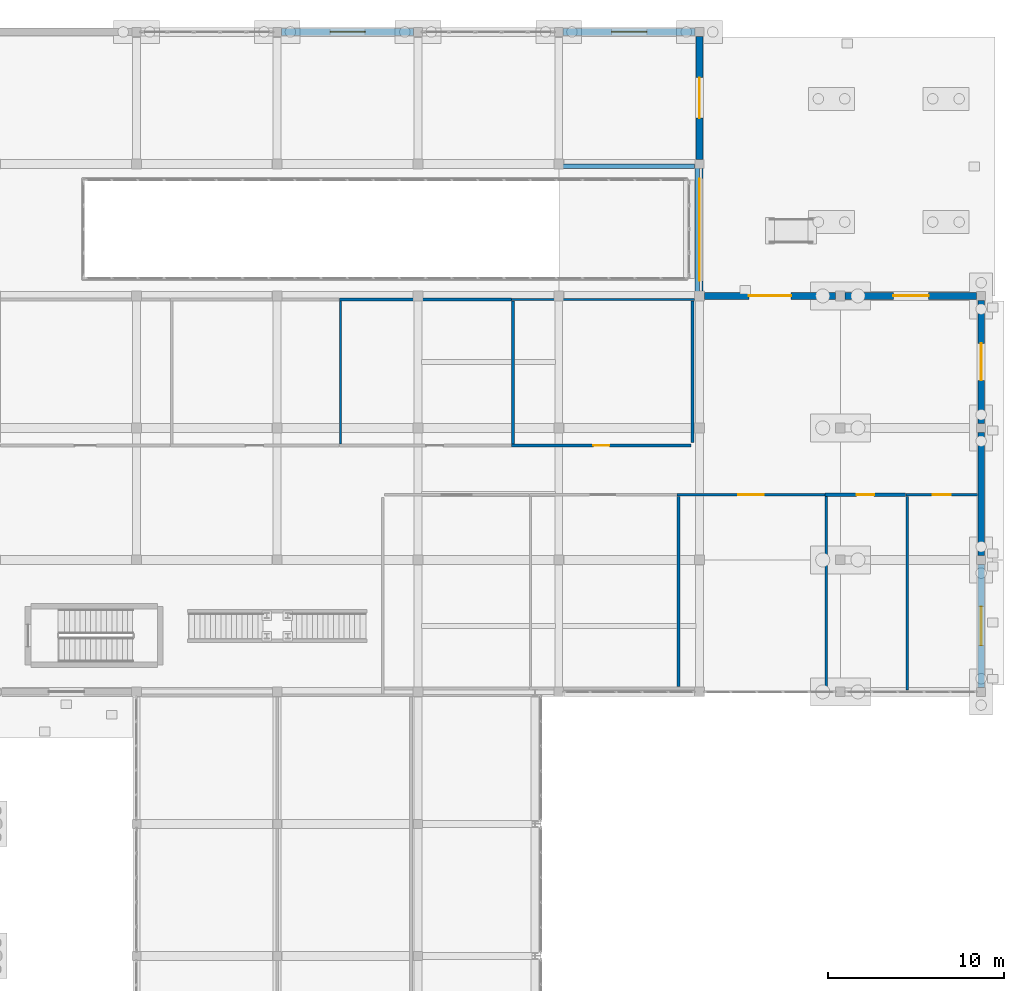
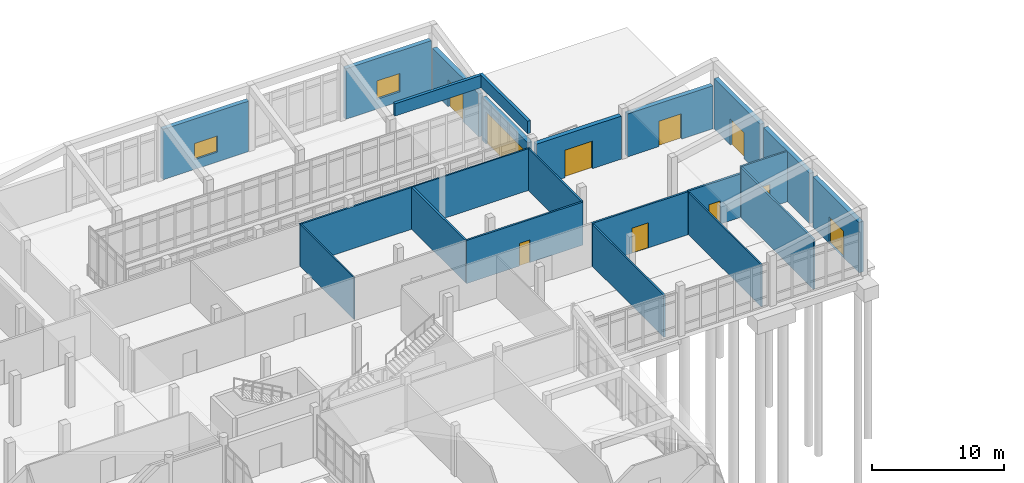
# One storey, part 160 of 173: 23 walls, 10 doors, 2 windows, 12 openings.
"""IFC4 building model written with IfcOpenShell, lengths in metres."""

from ifc_helpers import new_model, si_unit, direction, frame, frame_2d, origin, place, context, subcontext, project, spatial, rectangle, extrude, material, layer, layer_set, type_object, element, fill, save


model = new_model("IFC4")

# Units and contexts
model_context = context("Model", 3, precision=1e-05, world=origin(), true_north=direction((0.0, 1.0)))
body_context = subcontext(model_context, "Body", "Model", "MODEL_VIEW")
ifc_project = project(units=[si_unit("LENGTHUNIT", "METRE"), si_unit("AREAUNIT", "SQUARE_METRE"), si_unit("VOLUMEUNIT", "CUBIC_METRE"), si_unit("PLANEANGLEUNIT", "RADIAN"), si_unit("MASSUNIT", "GRAM", prefix="KILO")], contexts=[model_context])

# Site, building, storey
site_placement = place(None, origin())
site = spatial("IfcSite", under=ifc_project, at=site_placement, CompositionType="ELEMENT")
building_placement = place(site_placement, origin())
building = spatial("IfcBuilding", under=site, at=building_placement, Name="Mawjan Specialist Oncology Clinic", CompositionType="ELEMENT")
storey_placement = place(building_placement, origin())
storey = spatial("IfcBuildingStorey", under=building, at=storey_placement, Name="L00", CompositionType="ELEMENT", Elevation=0.0)

# Wall, opening, window
ifc_material_1 = material(Name="Precast concrete C40/50", Category="concrete")
ifc_layer_1 = layer(ifc_material_1, 0.3798828125, Name="Precast concrete C40/50", Category="concrete")
ifc_layer_set_1 = layer_set([ifc_layer_1], Name="Precast concrete C40/50")
wall_type_1 = type_object("IfcWallType", Name="EW-380", PredefinedType="SOLIDWALL", material=ifc_layer_set_1)
wall_1_placement = place(storey_placement, frame((124.25, 113.300048828125, 0.0), z_axis=(0.0, 0.0, 1.0), x_axis=(1.0, 0.0, 0.0)))
wall_1 = element("IfcWall", 1, at=wall_1_placement, inside=storey, type_object=wall_type_1, Name="L00 Coral-Limestone Exterior Wall EW-L00-025", PredefinedType="SOLIDWALL", context=body_context, shape_type="SweptSolid", body=[
    extrude(rectangle(XDim=7.5, YDim=0.3798828125, at=frame_2d((3.75, 0.0))), origin(), (0.0, 0.0, 1.0), 4.669921875),
])
opening_1_placement = place(wall_1_placement, frame((2.75, 0.0, 0.89990234375)))
opening_1 = element("IfcOpeningElement", 2, at=opening_1_placement, cuts=wall_1, Name="Opening WN-26", PredefinedType="OPENING", context=body_context, shape_type="SweptSolid", body=[
    extrude(rectangle(XDim=2.0, YDim=1.5, at=frame_2d((1.0, 0.75))), frame((0.0, 0.201904296875, 0.0), z_axis=(0.0, -1.0, 0.0), x_axis=(1.0, 0.0, 0.0)), (0.0, 0.0, 1.0), 0.40380859375),
])
ifc_material_2 = material(Name="Thermally broken low-E clinical aluminium window", Category="aluminium")
window_type_1 = type_object("IfcWindowType", Name="WN-26", PartitioningType="DOUBLE_PANEL_VERTICAL", PredefinedType="WINDOW", material=ifc_material_2)
window_1_placement = place(opening_1_placement, origin())
window_1 = element("IfcWindow", 3, at=window_1_placement, inside=storey, type_object=window_type_1, Name="L00 Clinical Low-E Window 006", OverallHeight=1.5, OverallWidth=2.0, PartitioningType="DOUBLE_PANEL_VERTICAL", PredefinedType="WINDOW", context=body_context, shape_type="SweptSolid", body=[
    extrude(rectangle(XDim=2.0, YDim=1.5, at=frame_2d((1.0, 0.75))), frame((0.0, 0.030029296875, 0.0), z_axis=(0.0, -1.0, 0.0), x_axis=(1.0, 0.0, 0.0)), (0.0, 0.0, 1.0), 0.06005859375),
])
fill(opening_1, window_1)

wall_2_placement = place(storey_placement, frame((140.25, 113.300048828125, 0.0), z_axis=(0.0, 0.0, 1.0), x_axis=(1.0, 0.0, 0.0)))
wall_2 = element("IfcWall", 4, at=wall_2_placement, inside=storey, type_object=wall_type_1, Name="L00 Coral-Limestone Exterior Wall EW-L00-026", PredefinedType="SOLIDWALL", context=body_context, shape_type="SweptSolid", body=[
    extrude(rectangle(XDim=7.5, YDim=0.3798828125, at=frame_2d((3.75, 0.0))), origin(), (0.0, 0.0, 1.0), 4.669921875),
])
opening_2_placement = place(wall_2_placement, frame((2.75, 0.0, 0.89990234375)))
opening_2 = element("IfcOpeningElement", 5, at=opening_2_placement, cuts=wall_2, Name="Opening WN-27", PredefinedType="OPENING", context=body_context, shape_type="SweptSolid", body=[
    extrude(rectangle(XDim=2.0, YDim=1.699951171875, at=frame_2d((1.0, 0.85009765625))), frame((0.0, 0.201904296875, 0.0), z_axis=(0.0, -1.0, 0.0), x_axis=(1.0, 0.0, 0.0)), (0.0, 0.0, 1.0), 0.40380859375),
])
ifc_material_3 = material(Name="Thermally broken low-E clinical aluminium window", Category="aluminium")
window_type_2 = type_object("IfcWindowType", Name="WN-27", PartitioningType="DOUBLE_PANEL_VERTICAL", PredefinedType="WINDOW", material=ifc_material_3)
window_2_placement = place(opening_2_placement, origin())
window_2 = element("IfcWindow", 6, at=window_2_placement, inside=storey, type_object=window_type_2, Name="L00 Clinical Low-E Window 007", OverallHeight=1.699951171875, OverallWidth=2.0, PartitioningType="DOUBLE_PANEL_VERTICAL", PredefinedType="WINDOW", context=body_context, shape_type="SweptSolid", body=[
    extrude(rectangle(XDim=2.0, YDim=1.699951171875, at=frame_2d((1.0, 0.85009765625))), frame((0.0, 0.030029296875, 0.0), z_axis=(0.0, -1.0, 0.0), x_axis=(1.0, 0.0, 0.0)), (0.0, 0.0, 1.0), 0.06005859375),
])
fill(opening_2, window_2)

# Wall, opening, door
wall_3_placement = place(storey_placement, frame((148.0, 113.050048828125, 0.0), z_axis=(0.0, 0.0, 1.0), x_axis=(0.0, -1.0, 0.0)))
wall_3 = element("IfcWall", 7, at=wall_3_placement, inside=storey, type_object=wall_type_1, Name="L00 Coral-Limestone Exterior Wall EW-L00-027", PredefinedType="SOLIDWALL", context=body_context, shape_type="SweptSolid", body=[
    extrude(rectangle(XDim=7.0, YDim=0.3798828125, at=frame_2d((3.5, 0.0))), origin(), (0.0, 0.0, 1.0), 3.985107421875),
])
opening_3_placement = place(wall_3_placement, frame((2.35009765625, 0.0, 0.0)))
opening_3 = element("IfcOpeningElement", 8, at=opening_3_placement, cuts=wall_3, Name="Opening DE-230", PredefinedType="OPENING", context=body_context, shape_type="SweptSolid", body=[
    extrude(rectangle(XDim=2.300048828125, YDim=2.5, at=frame_2d((1.14990234375, 1.25))), frame((0.0, 0.201904296875, 0.0), z_axis=(0.0, -1.0, 0.0), x_axis=(1.0, 0.0, 0.0)), (0.0, 0.0, 1.0), 0.40380859375),
])
ifc_material_4 = material(Name="Insulated marine-grade aluminium entrance assembly", Category="aluminium")
door_type_1 = type_object("IfcDoorType", Name="DE-230", OperationType="DOUBLE_DOOR_SINGLE_SWING", PredefinedType="DOOR", material=ifc_material_4)
door_1_placement = place(opening_3_placement, origin())
door_1 = element("IfcDoor", 9, at=door_1_placement, inside=storey, type_object=door_type_1, Name="Main Pedestrian Final Exit Door E-04", OperationType="DOUBLE_DOOR_SINGLE_SWING", OverallHeight=2.5, OverallWidth=2.300048828125, PredefinedType="DOOR", context=body_context, shape_type="SweptSolid", body=[
    extrude(rectangle(XDim=2.300048828125, YDim=2.5, at=frame_2d((1.14990234375, 1.25))), frame((0.0, 0.02490234375, 0.0), z_axis=(0.0, -1.0, 0.0), x_axis=(1.0, 0.0, 0.0)), (0.0, 0.0, 1.0), 0.050048828125),
])
fill(opening_3, door_1)

wall_4_placement = place(storey_placement, frame((148.0, 105.550048828125, 0.0), z_axis=(0.0, 0.0, 1.0), x_axis=(0.0, -1.0, 0.0)))
wall_4 = element("IfcWall", 10, at=wall_4_placement, inside=storey, type_object=wall_type_1, Name="L00 Coral-Limestone Exterior Wall EW-L00-028", PredefinedType="SOLIDWALL", context=body_context, shape_type="SweptSolid", body=[
    extrude(rectangle(XDim=6.97509765625, YDim=0.3798828125, at=frame_2d((3.487548828125, 0.0))), origin(), (0.0, 0.0, 1.0), 3.985107421875),
])
opening_4_placement = place(wall_4_placement, frame((0.58740234375, 0.0, 0.0)))
opening_4 = element("IfcOpeningElement", 11, at=opening_4_placement, cuts=wall_4, Name="Opening VG-600", PredefinedType="OPENING", context=body_context, shape_type="SweptSolid", body=[
    extrude(rectangle(XDim=5.800048828125, YDim=3.0, at=frame_2d((2.89990234375, 1.5))), frame((0.0, 0.201904296875, 0.0), z_axis=(0.0, -1.0, 0.0), x_axis=(1.0, 0.0, 0.0)), (0.0, 0.0, 1.0), 0.40380859375),
])
ifc_material_5 = material(Name="Insulated powder-coated steel roller gate", Category="steel")
door_type_2 = type_object("IfcDoorType", Name="VG-600", OperationType="ROLLINGUP", PredefinedType="GATE", material=ifc_material_5)
door_2_placement = place(opening_4_placement, origin())
door_2 = element("IfcDoor", 12, at=door_2_placement, inside=storey, type_object=door_type_2, Name="Car Park Ramp Roller Shutter Gate VG1", OperationType="ROLLINGUP", OverallHeight=3.0, OverallWidth=5.800048828125, PredefinedType="GATE", context=body_context, shape_type="SweptSolid", body=[
    extrude(rectangle(XDim=5.800048828125, YDim=3.0, at=frame_2d((2.89990234375, 1.5))), frame((0.0, 0.02490234375, 0.0), z_axis=(0.0, -1.0, 0.0), x_axis=(1.0, 0.0, 0.0)), (0.0, 0.0, 1.0), 0.050048828125),
])
fill(opening_4, door_2)

wall_5_placement = place(storey_placement, frame((148.27490234375, 98.300048828125, 0.0), z_axis=(0.0, 0.0, 1.0), x_axis=(1.0, 0.0, 0.0)))
wall_5 = element("IfcWall", 13, at=wall_5_placement, inside=storey, type_object=wall_type_1, Name="L00 Coral-Limestone Exterior Wall EW-L00-029", PredefinedType="SOLIDWALL", context=body_context, shape_type="SweptSolid", body=[
    extrude(rectangle(XDim=7.4501953125, YDim=0.3798828125, at=frame_2d((3.72509765625, 0.0))), origin(), (0.0, 0.0, 1.0), 3.985107421875),
])
opening_5_placement = place(wall_5_placement, frame((2.52490234375, 0.0, 0.0)))
opening_5 = element("IfcOpeningElement", 14, at=opening_5_placement, cuts=wall_5, Name="Opening DE-240", PredefinedType="OPENING", context=body_context, shape_type="SweptSolid", body=[
    extrude(rectangle(XDim=2.39990234375, YDim=2.550048828125, at=frame_2d((1.199951171875, 1.27490234375))), frame((0.0, 0.201904296875, 0.0), z_axis=(0.0, -1.0, 0.0), x_axis=(1.0, 0.0, 0.0)), (0.0, 0.0, 1.0), 0.40380859375),
])
ifc_material_6 = material(Name="Insulated marine-grade aluminium entrance assembly", Category="aluminium")
door_type_3 = type_object("IfcDoorType", Name="DE-240", OperationType="DOUBLE_DOOR_SINGLE_SWING", PredefinedType="DOOR", material=ifc_material_6)
door_3_placement = place(opening_5_placement, origin())
door_3 = element("IfcDoor", 15, at=door_3_placement, inside=storey, type_object=door_type_3, Name="Main Pedestrian Final Exit Door E-05", OperationType="DOUBLE_DOOR_SINGLE_SWING", OverallHeight=2.550048828125, OverallWidth=2.39990234375, PredefinedType="DOOR", context=body_context, shape_type="SweptSolid", body=[
    extrude(rectangle(XDim=2.39990234375, YDim=2.550048828125, at=frame_2d((1.199951171875, 1.27490234375))), frame((0.0, 0.02490234375, 0.0), z_axis=(0.0, -1.0, 0.0), x_axis=(1.0, 0.0, 0.0)), (0.0, 0.0, 1.0), 0.050048828125),
])
fill(opening_5, door_3)

wall_6_placement = place(storey_placement, frame((156.27490234375, 98.300048828125, 0.0), z_axis=(0.0, 0.0, 1.0), x_axis=(1.0, 0.0, 0.0)))
wall_6 = element("IfcWall", 16, at=wall_6_placement, inside=storey, type_object=wall_type_1, Name="L00 Coral-Limestone Exterior Wall EW-L00-030", PredefinedType="SOLIDWALL", context=body_context, shape_type="SweptSolid", body=[
    extrude(rectangle(XDim=7.47509765625, YDim=0.3798828125, at=frame_2d((3.737548828125, 0.0))), origin(), (0.0, 0.0, 1.0), 3.985107421875),
])
opening_6_placement = place(wall_6_placement, frame((2.737548828125, 0.0, 0.0)))
opening_6 = element("IfcOpeningElement", 17, at=opening_6_placement, cuts=wall_6, Name="Opening DE-200", PredefinedType="OPENING", context=body_context, shape_type="SweptSolid", body=[
    extrude(rectangle(XDim=2.0, YDim=2.35009765625, at=frame_2d((1.0, 1.175048828125))), frame((0.0, 0.201904296875, 0.0), z_axis=(0.0, -1.0, 0.0), x_axis=(1.0, 0.0, 0.0)), (0.0, 0.0, 1.0), 0.40380859375),
])
ifc_material_7 = material(Name="Insulated marine-grade aluminium entrance assembly", Category="aluminium")
door_type_4 = type_object("IfcDoorType", Name="DE-200", OperationType="DOUBLE_DOOR_SINGLE_SWING", PredefinedType="DOOR", material=ifc_material_7)
door_4_placement = place(opening_6_placement, origin())
door_4 = element("IfcDoor", 18, at=door_4_placement, inside=storey, type_object=door_type_4, Name="Main Pedestrian Final Exit Door E-06", OperationType="DOUBLE_DOOR_SINGLE_SWING", OverallHeight=2.35009765625, OverallWidth=2.0, PredefinedType="DOOR", context=body_context, shape_type="SweptSolid", body=[
    extrude(rectangle(XDim=2.0, YDim=2.35009765625, at=frame_2d((1.0, 1.175048828125))), frame((0.0, 0.02490234375, 0.0), z_axis=(0.0, -1.0, 0.0), x_axis=(1.0, 0.0, 0.0)), (0.0, 0.0, 1.0), 0.050048828125),
])
fill(opening_6, door_4)

wall_7_placement = place(storey_placement, frame((164.0, 98.050048828125, 0.0), z_axis=(0.0, 0.0, 1.0), x_axis=(0.0, -1.0, 0.0)))
wall_7 = element("IfcWall", 19, at=wall_7_placement, inside=storey, type_object=wall_type_1, Name="L00 Coral-Limestone Exterior Wall EW-L00-031", PredefinedType="SOLIDWALL", context=body_context, shape_type="SweptSolid", body=[
    extrude(rectangle(XDim=7.0, YDim=0.3798828125, at=frame_2d((3.5, 0.0))), origin(), (0.0, 0.0, 1.0), 4.669921875),
])
opening_7_placement = place(wall_7_placement, frame((2.449951171875, 0.0, 0.0)))
opening_7 = element("IfcOpeningElement", 20, at=opening_7_placement, cuts=wall_7, Name="Opening DE-210", PredefinedType="OPENING", context=body_context, shape_type="SweptSolid", body=[
    extrude(rectangle(XDim=2.10009765625, YDim=2.39990234375, at=frame_2d((1.050048828125, 1.199951171875))), frame((0.0, 0.201904296875, 0.0), z_axis=(0.0, -1.0, 0.0), x_axis=(1.0, 0.0, 0.0)), (0.0, 0.0, 1.0), 0.40380859375),
])
ifc_material_8 = material(Name="Insulated marine-grade aluminium entrance assembly", Category="aluminium")
door_type_5 = type_object("IfcDoorType", Name="DE-210", OperationType="DOUBLE_DOOR_SINGLE_SWING", PredefinedType="DOOR", material=ifc_material_8)
door_5_placement = place(opening_7_placement, origin())
door_5 = element("IfcDoor", 21, at=door_5_placement, inside=storey, type_object=door_type_5, Name="Main Pedestrian Final Exit Door E-07", OperationType="DOUBLE_DOOR_SINGLE_SWING", OverallHeight=2.39990234375, OverallWidth=2.10009765625, PredefinedType="DOOR", context=body_context, shape_type="SweptSolid", body=[
    extrude(rectangle(XDim=2.10009765625, YDim=2.39990234375, at=frame_2d((1.050048828125, 1.199951171875))), frame((0.0, 0.02490234375, 0.0), z_axis=(0.0, -1.0, 0.0), x_axis=(1.0, 0.0, 0.0)), (0.0, 0.0, 1.0), 0.050048828125),
])
fill(opening_7, door_5)

# Wall
wall_8_placement = place(storey_placement, frame((164.0, 90.550048828125, 0.0), z_axis=(0.0, 0.0, 1.0), x_axis=(0.0, -1.0, 0.0)))
element("IfcWall", 22, at=wall_8_placement, inside=storey, type_object=wall_type_1, Name="L00 Coral-Limestone Exterior Wall EW-L00-032", PredefinedType="SOLIDWALL", context=body_context, shape_type="SweptSolid", body=[
    extrude(rectangle(XDim=7.0, YDim=0.3798828125, at=frame_2d((3.5, 0.0))), origin(), (0.0, 0.0, 1.0), 4.669921875),
])

# Wall, opening, door
wall_9_placement = place(storey_placement, frame((164.0, 83.050048828125, 0.0), z_axis=(0.0, 0.0, 1.0), x_axis=(0.0, -1.0, 0.0)))
wall_9 = element("IfcWall", 23, at=wall_9_placement, inside=storey, type_object=wall_type_1, Name="L00 Coral-Limestone Exterior Wall EW-L00-033", PredefinedType="SOLIDWALL", context=body_context, shape_type="SweptSolid", body=[
    extrude(rectangle(XDim=7.0, YDim=0.3798828125, at=frame_2d((3.5, 0.0))), origin(), (0.0, 0.0, 1.0), 4.669921875),
])
opening_8_placement = place(wall_9_placement, frame((2.39990234375, 0.0, 0.0)))
opening_8 = element("IfcOpeningElement", 24, at=opening_8_placement, cuts=wall_9, Name="Opening DE-220", PredefinedType="OPENING", context=body_context, shape_type="SweptSolid", body=[
    extrude(rectangle(XDim=2.199951171875, YDim=2.449951171875, at=frame_2d((1.10009765625, 1.22509765625))), frame((0.0, 0.201904296875, 0.0), z_axis=(0.0, -1.0, 0.0), x_axis=(1.0, 0.0, 0.0)), (0.0, 0.0, 1.0), 0.40380859375),
])
ifc_material_9 = material(Name="Insulated marine-grade aluminium entrance assembly", Category="aluminium")
door_type_6 = type_object("IfcDoorType", Name="DE-220", OperationType="DOUBLE_DOOR_SINGLE_SWING", PredefinedType="DOOR", material=ifc_material_9)
door_6_placement = place(opening_8_placement, origin())
door_6 = element("IfcDoor", 25, at=door_6_placement, inside=storey, type_object=door_type_6, Name="Main Pedestrian Final Exit Door E-08", OperationType="DOUBLE_DOOR_SINGLE_SWING", OverallHeight=2.449951171875, OverallWidth=2.199951171875, PredefinedType="DOOR", context=body_context, shape_type="SweptSolid", body=[
    extrude(rectangle(XDim=2.199951171875, YDim=2.449951171875, at=frame_2d((1.10009765625, 1.22509765625))), frame((0.0, 0.02490234375, 0.0), z_axis=(0.0, -1.0, 0.0), x_axis=(1.0, 0.0, 0.0)), (0.0, 0.0, 1.0), 0.050048828125),
])
fill(opening_8, door_6)

# Walls
ifc_material_10 = material(Name="Precast concrete C40/50", Category="concrete")
ifc_layer_2 = layer(ifc_material_10, 0.260009765625, Name="Precast concrete C40/50", Category="concrete")
ifc_layer_set_2 = layer_set([ifc_layer_2], Name="Precast concrete C40/50")
wall_type_2 = type_object("IfcWallType", Name="PAR-260", PredefinedType="PARAPET", material=ifc_layer_set_2)
wall_10_placement = place(storey_placement, frame((147.8701171875, 98.5, 4.89990234375), z_axis=(0.0, 0.0, 1.0), x_axis=(0.0, 1.0, 0.0)))
element("IfcWall", 26, at=wall_10_placement, inside=storey, type_object=wall_type_2, Name="L00 Ramp Portal Roof Perimeter Parapet E", PredefinedType="PARAPET", context=body_context, shape_type="SweptSolid", body=[
    extrude(rectangle(XDim=7.300048828125, YDim=0.260009765625, at=frame_2d((3.64990234375, 0.0))), origin(), (0.0, 0.0, 1.0), 1.150146484375),
])
wall_11_placement = place(storey_placement, frame((140.199951171875, 105.669921875, 4.89990234375), z_axis=(0.0, 0.0, 1.0), x_axis=(1.0, 0.0, 0.0)))
element("IfcWall", 27, at=wall_11_placement, inside=storey, type_object=wall_type_2, Name="L00 Ramp Portal Roof Perimeter Parapet N", PredefinedType="PARAPET", context=body_context, shape_type="SweptSolid", body=[
    extrude(rectangle(XDim=7.52001953125, YDim=0.260009765625, at=frame_2d((3.760009765625, 0.0))), origin(), (0.0, 0.0, 1.0), 1.150146484375),
])
ifc_material_11 = material(Name="Moisture-resistant washroom partition", Category="gypsum")
ifc_layer_3 = layer(ifc_material_11, 0.125, Name="Moisture-resistant washroom partition", Category="gypsum")
ifc_layer_set_3 = layer_set([ifc_layer_3], Name="Moisture-resistant washroom partition")
wall_type_3 = type_object("IfcWallType", Name="WP-125", PredefinedType="PARTITIONING", material=ifc_layer_set_3)
wall_12_placement = place(storey_placement, frame((137.326904296875, 98.10009765625, 0.0), z_axis=(0.0, 0.0, 1.0), x_axis=(1.0, 0.0, 0.0)))
element("IfcWall", 28, at=wall_12_placement, inside=storey, type_object=wall_type_3, Name="L00 Interior Partition W-INT-L00-I08-R", PredefinedType="PARTITIONING", context=body_context, shape_type="SweptSolid", body=[
    extrude(rectangle(XDim=10.385986328125, YDim=0.125, at=frame_2d((5.19287109375, 0.0))), origin(), (0.0, 0.0, 1.0), 3.885009765625),
])
wall_13_placement = place(storey_placement, frame((155.199951171875, 75.902099609375, 0.0), z_axis=(0.0, 0.0, 1.0), x_axis=(0.0, 1.0, 0.0)))
element("IfcWall", 29, at=wall_13_placement, inside=storey, type_object=wall_type_3, Name="L00 Interior Partition W-INT-L00-I03-D", PredefinedType="PARTITIONING", context=body_context, shape_type="SweptSolid", body=[
    extrude(rectangle(XDim=10.995849609375, YDim=0.125, at=frame_2d((5.498046875, 0.0))), origin(), (0.0, 0.0, 1.0), 3.885009765625),
])
wall_14_placement = place(storey_placement, frame((127.60009765625, 89.89208984375, 0.0), z_axis=(0.0, 0.0, 1.0), x_axis=(0.0, 1.0, 0.0)))
element("IfcWall", 30, at=wall_14_placement, inside=storey, type_object=wall_type_3, Name="L00 Interior Partition W-INT-L00-I06-D", PredefinedType="PARTITIONING", context=body_context, shape_type="SweptSolid", body=[
    extrude(rectangle(XDim=8.120849609375, YDim=0.125, at=frame_2d((4.060546875, 0.0))), origin(), (0.0, 0.0, 1.0), 3.885009765625),
])

# Wall, opening, door
ifc_material_12 = material(Name="Acoustic gypsum clinical partition", Category="gypsum")
ifc_layer_4 = layer(ifc_material_12, 0.14990234375, Name="Acoustic gypsum clinical partition", Category="gypsum")
ifc_layer_set_4 = layer_set([ifc_layer_4], Name="Acoustic gypsum clinical partition")
wall_type_4 = type_object("IfcWallType", Name="WP-150", PredefinedType="PARTITIONING", material=ifc_layer_set_4)
wall_15_placement = place(storey_placement, frame((159.72705078125, 87.0, 0.0), z_axis=(0.0, 0.0, 1.0), x_axis=(1.0, 0.0, 0.0)))
wall_15 = element("IfcWall", 31, at=wall_15_placement, inside=storey, type_object=wall_type_4, Name="L00 Interior Partition W-INT-L00-I04-C", PredefinedType="PARTITIONING", context=body_context, shape_type="SweptSolid", body=[
    extrude(rectangle(XDim=4.071044921875, YDim=0.14990234375, at=frame_2d((2.03564453125, 0.0))), origin(), (0.0, 0.0, 1.0), 4.669921875),
])
opening_9_placement = place(wall_15_placement, frame((1.510498046875, 0.0, 0.0)))
opening_9 = element("IfcOpeningElement", 32, at=opening_9_placement, cuts=wall_15, Name="Opening DI-105", PredefinedType="OPENING", context=body_context, shape_type="SweptSolid", body=[
    extrude(rectangle(XDim=1.050048828125, YDim=2.14990234375, at=frame_2d((0.52490234375, 1.074951171875))), frame((0.0, 0.0869140625, 0.0), z_axis=(0.0, -1.0, 0.0), x_axis=(1.0, 0.0, 0.0)), (0.0, 0.0, 1.0), 0.173828125),
])
ifc_material_13 = material(Name="Acoustic laminate hospital door leaf", Category="wood")
door_type_7 = type_object("IfcDoorType", Name="DI-105", OperationType="NOTDEFINED", PredefinedType="DOOR", material=ifc_material_13)
door_7_placement = place(opening_9_placement, origin())
door_7 = element("IfcDoor", 33, at=door_7_placement, inside=storey, type_object=door_type_7, Name="L00 Accessible Gowned Patient Toilet Door", OperationType="SINGLE_SWING_LEFT", OverallHeight=2.14990234375, OverallWidth=1.050048828125, PredefinedType="DOOR", context=body_context, shape_type="SweptSolid", body=[
    extrude(rectangle(XDim=1.050048828125, YDim=2.14990234375, at=frame_2d((0.52490234375, 1.074951171875))), frame((0.0, 0.02490234375, 0.0), z_axis=(0.0, -1.0, 0.0), x_axis=(1.0, 0.0, 0.0)), (0.0, 0.0, 1.0), 0.050048828125),
])
fill(opening_9, door_7)

# Walls
wall_16_placement = place(storey_placement, frame((127.527099609375, 98.10009765625, 0.0), z_axis=(0.0, 0.0, 1.0), x_axis=(1.0, 0.0, 0.0)))
element("IfcWall", 34, at=wall_16_placement, inside=storey, type_object=wall_type_4, Name="L00 Interior Partition W-INT-L00-I07-R", PredefinedType="PARTITIONING", context=body_context, shape_type="SweptSolid", body=[
    extrude(rectangle(XDim=9.787841796875, YDim=0.14990234375, at=frame_2d((4.89404296875, 0.0))), origin(), (0.0, 0.0, 1.0), 3.885009765625),
])
wall_17_placement = place(storey_placement, frame((146.800048828125, 76.10205078125, 0.0), z_axis=(0.0, 0.0, 1.0), x_axis=(0.0, 1.0, 0.0)))
element("IfcWall", 35, at=wall_17_placement, inside=storey, type_object=wall_type_4, Name="L00 Interior Partition W-INT-L00-I02-D", PredefinedType="PARTITIONING", context=body_context, shape_type="SweptSolid", body=[
    extrude(rectangle(XDim=10.805908203125, YDim=0.14990234375, at=frame_2d((5.40283203125, 0.0))), origin(), (0.0, 0.0, 1.0), 3.885009765625),
])
wall_18_placement = place(storey_placement, frame((147.60009765625, 89.965087890625, 0.0), z_axis=(0.0, 0.0, 1.0), x_axis=(0.0, 1.0, 0.0)))
element("IfcWall", 36, at=wall_18_placement, inside=storey, type_object=wall_type_4, Name="L00 Interior Partition W-INT-L00-I08-D", PredefinedType="PARTITIONING", context=body_context, shape_type="SweptSolid", body=[
    extrude(rectangle(XDim=8.060302734375, YDim=0.14990234375, at=frame_2d((4.0302734375, 0.0))), origin(), (0.0, 0.0, 1.0), 3.885009765625),
])

# Wall, opening, door
ifc_material_14 = material(Name="Acoustic clinical twin-stud partition", Category="gypsum")
ifc_layer_5 = layer(ifc_material_14, 0.159912109375, Name="Acoustic clinical twin-stud partition", Category="gypsum")
ifc_layer_set_5 = layer_set([ifc_layer_5], Name="Acoustic clinical twin-stud partition")
wall_type_5 = type_object("IfcWallType", Name="WP-160", PredefinedType="PARTITIONING", material=ifc_layer_set_5)
wall_19_placement = place(storey_placement, frame((146.72705078125, 87.0, 0.0), z_axis=(0.0, 0.0, 1.0), x_axis=(1.0, 0.0, 0.0)))
wall_19 = element("IfcWall", 37, at=wall_19_placement, inside=storey, type_object=wall_type_5, Name="L00 Interior Partition W-INT-L00-I03-C", PredefinedType="PARTITIONING", context=body_context, shape_type="SweptSolid", body=[
    extrude(rectangle(XDim=8.387939453125, YDim=0.159912109375, at=frame_2d((4.19384765625, 0.0))), origin(), (0.0, 0.0, 1.0), 3.985107421875),
])
opening_10_placement = place(wall_19_placement, frame((3.47412109375, 0.0, 0.0)))
opening_10 = element("IfcOpeningElement", 38, at=opening_10_placement, cuts=wall_19, Name="Opening DM-CT", PredefinedType="OPENING", context=body_context, shape_type="SweptSolid", body=[
    extrude(rectangle(XDim=1.43994140625, YDim=2.320068359375, at=frame_2d((0.719970703125, 1.16015625))), frame((0.0, 0.092041015625, 0.0), z_axis=(0.0, -1.0, 0.0), x_axis=(1.0, 0.0, 0.0)), (0.0, 0.0, 1.0), 0.183837890625),
])
ifc_material_15 = material(Name="Acoustic laminate hospital door leaf", Category="wood")
door_type_8 = type_object("IfcDoorType", Name="DM-CT", OperationType="NOTDEFINED", PredefinedType="DOOR", material=ifc_material_15)
door_8_placement = place(opening_10_placement, origin())
door_8 = element("IfcDoor", 39, at=door_8_placement, inside=storey, type_object=door_type_8, Name="L00 MRI Zone III Control Room Door", OperationType="SINGLE_SWING_LEFT", OverallHeight=2.320068359375, OverallWidth=1.43994140625, PredefinedType="DOOR", context=body_context, shape_type="SweptSolid", body=[
    extrude(rectangle(XDim=1.43994140625, YDim=2.320068359375, at=frame_2d((0.719970703125, 1.16015625))), frame((0.0, 0.02490234375, 0.0), z_axis=(0.0, -1.0, 0.0), x_axis=(1.0, 0.0, 0.0)), (0.0, 0.0, 1.0), 0.050048828125),
])
fill(opening_10, door_8)

wall_20_placement = place(storey_placement, frame((137.326904296875, 89.800048828125, 0.0), z_axis=(0.0, 0.0, 1.0), x_axis=(1.0, 0.0, 0.0)))
wall_20 = element("IfcWall", 40, at=wall_20_placement, inside=storey, type_object=wall_type_5, Name="L00 Interior Partition W-INT-L00-I08-C", PredefinedType="PARTITIONING", context=body_context, shape_type="SweptSolid", body=[
    extrude(rectangle(XDim=10.18798828125, YDim=0.159912109375, at=frame_2d((5.093994140625, 0.0))), origin(), (0.0, 0.0, 1.0), 3.985107421875),
])
opening_11_placement = place(wall_20_placement, frame((4.634033203125, 0.0, 0.0)))
opening_11 = element("IfcOpeningElement", 41, at=opening_11_placement, cuts=wall_20, Name="Opening DI-92", PredefinedType="OPENING", context=body_context, shape_type="SweptSolid", body=[
    extrude(rectangle(XDim=0.919921875, YDim=2.10009765625, at=frame_2d((0.4599609375, 1.050048828125))), frame((0.0, 0.092041015625, 0.0), z_axis=(0.0, -1.0, 0.0), x_axis=(1.0, 0.0, 0.0)), (0.0, 0.0, 1.0), 0.183837890625),
])
ifc_material_16 = material(Name="Acoustic laminate hospital door leaf", Category="wood")
door_type_9 = type_object("IfcDoorType", Name="DI-92", OperationType="NOTDEFINED", PredefinedType="DOOR", material=ifc_material_16)
door_9_placement = place(opening_11_placement, origin())
door_9 = element("IfcDoor", 42, at=door_9_placement, inside=storey, type_object=door_type_9, Name="L00 Digital X-Ray and Fluoroscopy Room Door", OperationType="SINGLE_SWING_RIGHT", OverallHeight=2.10009765625, OverallWidth=0.919921875, PredefinedType="DOOR", context=body_context, shape_type="SweptSolid", body=[
    extrude(rectangle(XDim=0.919921875, YDim=2.10009765625, at=frame_2d((0.4599609375, 1.050048828125))), frame((0.0, 0.02490234375, 0.0), z_axis=(0.0, -1.0, 0.0), x_axis=(1.0, 0.0, 0.0)), (0.0, 0.0, 1.0), 0.050048828125),
])
fill(opening_11, door_9)

# Wall
wall_21_placement = place(storey_placement, frame((159.800048828125, 75.902099609375, 0.0), z_axis=(0.0, 0.0, 1.0), x_axis=(0.0, 1.0, 0.0)))
element("IfcWall", 43, at=wall_21_placement, inside=storey, type_object=wall_type_5, Name="L00 Interior Partition W-INT-L00-I04A-D", PredefinedType="PARTITIONING", context=body_context, shape_type="SweptSolid", body=[
    extrude(rectangle(XDim=11.010986328125, YDim=0.159912109375, at=frame_2d((5.50537109375, 0.0))), origin(), (0.0, 0.0, 1.0), 4.61572265625),
])

# Wall, opening, door
ifc_material_17 = material(Name="Lead-lined radiation-shielded clinical partition", Category="gypsum")
ifc_layer_6 = layer(ifc_material_17, 0.179931640625, Name="Lead-lined radiation-shielded clinical partition", Category="gypsum")
ifc_layer_set_6 = layer_set([ifc_layer_6], Name="Lead-lined radiation-shielded clinical partition")
wall_type_6 = type_object("IfcWallType", Name="WP-180", PredefinedType="PARTITIONING", material=ifc_layer_set_6)
wall_22_placement = place(storey_placement, frame((155.126953125, 87.0, 0.0), z_axis=(0.0, 0.0, 1.0), x_axis=(1.0, 0.0, 0.0)))
wall_22 = element("IfcWall", 44, at=wall_22_placement, inside=storey, type_object=wall_type_6, Name="L00 Interior Partition W-INT-L00-I04A-C", PredefinedType="PARTITIONING", context=body_context, shape_type="SweptSolid", body=[
    extrude(rectangle(XDim=4.588134765625, YDim=0.179931640625, at=frame_2d((2.2939453125, 0.0))), origin(), (0.0, 0.0, 1.0), 4.034912109375),
])
opening_12_placement = place(wall_22_placement, frame((1.7939453125, 0.0, 0.0)))
opening_12 = element("IfcOpeningElement", 45, at=opening_12_placement, cuts=wall_22, Name="Opening DI-100", PredefinedType="OPENING", context=body_context, shape_type="SweptSolid", body=[
    extrude(rectangle(XDim=1.0, YDim=2.14990234375, at=frame_2d((0.5, 1.074951171875))), frame((0.0, 0.10205078125, 0.0), z_axis=(0.0, -1.0, 0.0), x_axis=(1.0, 0.0, 0.0)), (0.0, 0.0, 1.0), 0.203857421875),
])
ifc_material_18 = material(Name="Acoustic laminate hospital door leaf", Category="wood")
door_type_10 = type_object("IfcDoorType", Name="DI-100", OperationType="NOTDEFINED", PredefinedType="DOOR", material=ifc_material_18)
door_10_placement = place(opening_12_placement, origin())
door_10 = element("IfcDoor", 46, at=door_10_placement, inside=storey, type_object=door_type_10, Name="L00 Diagnostic Gowning Waiting Room Door", OperationType="SINGLE_SWING_RIGHT", OverallHeight=2.14990234375, OverallWidth=1.0, PredefinedType="DOOR", context=body_context, shape_type="SweptSolid", body=[
    extrude(rectangle(XDim=1.0, YDim=2.14990234375, at=frame_2d((0.5, 1.074951171875))), frame((0.0, 0.02490234375, 0.0), z_axis=(0.0, -1.0, 0.0), x_axis=(1.0, 0.0, 0.0)), (0.0, 0.0, 1.0), 0.050048828125),
])
fill(opening_12, door_10)

# Wall
wall_23_placement = place(storey_placement, frame((137.39990234375, 89.89208984375, 0.0), z_axis=(0.0, 0.0, 1.0), x_axis=(0.0, 1.0, 0.0)))
element("IfcWall", 47, at=wall_23_placement, inside=storey, type_object=wall_type_6, Name="L00 Interior Partition W-INT-L00-I07-D", PredefinedType="PARTITIONING", context=body_context, shape_type="SweptSolid", body=[
    extrude(rectangle(XDim=8.13330078125, YDim=0.179931640625, at=frame_2d((4.066650390625, 0.0))), origin(), (0.0, 0.0, 1.0), 3.885009765625),
])

save(model, "model.ifc")
